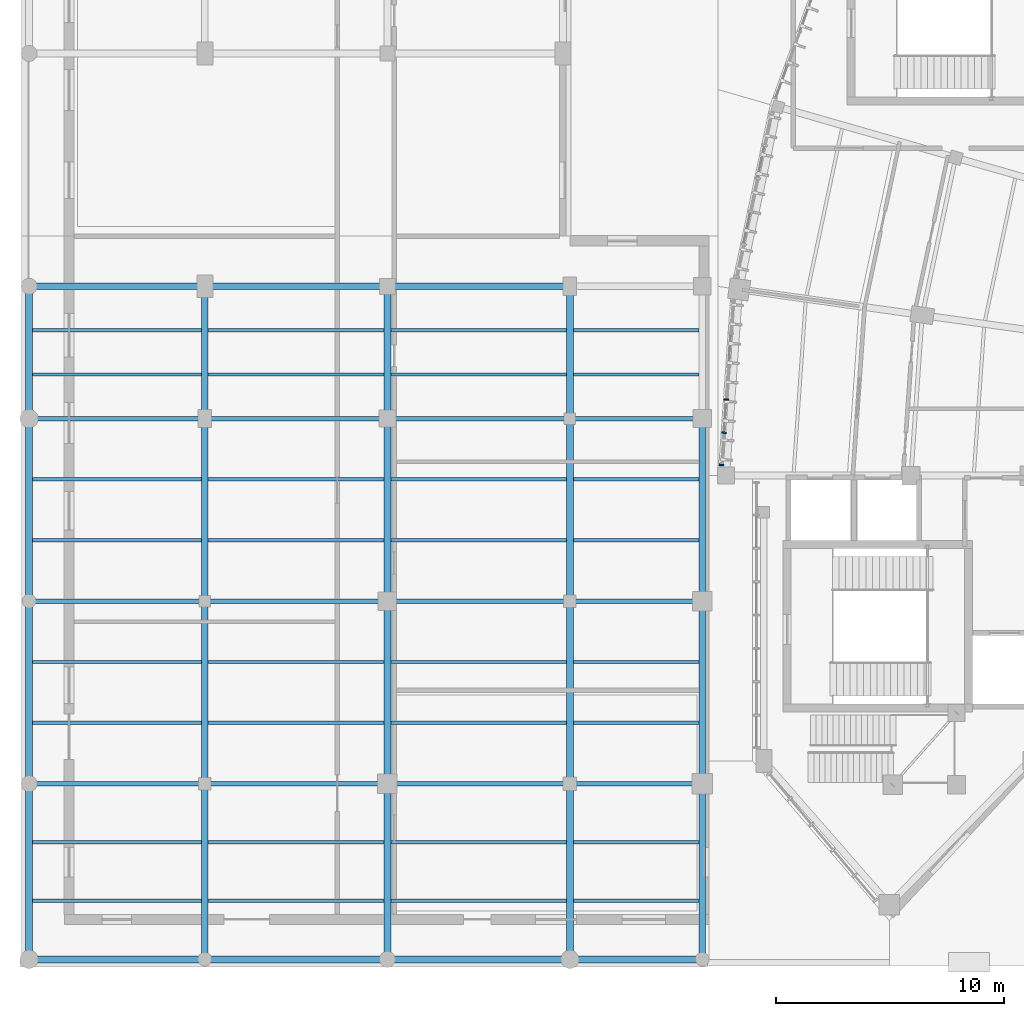
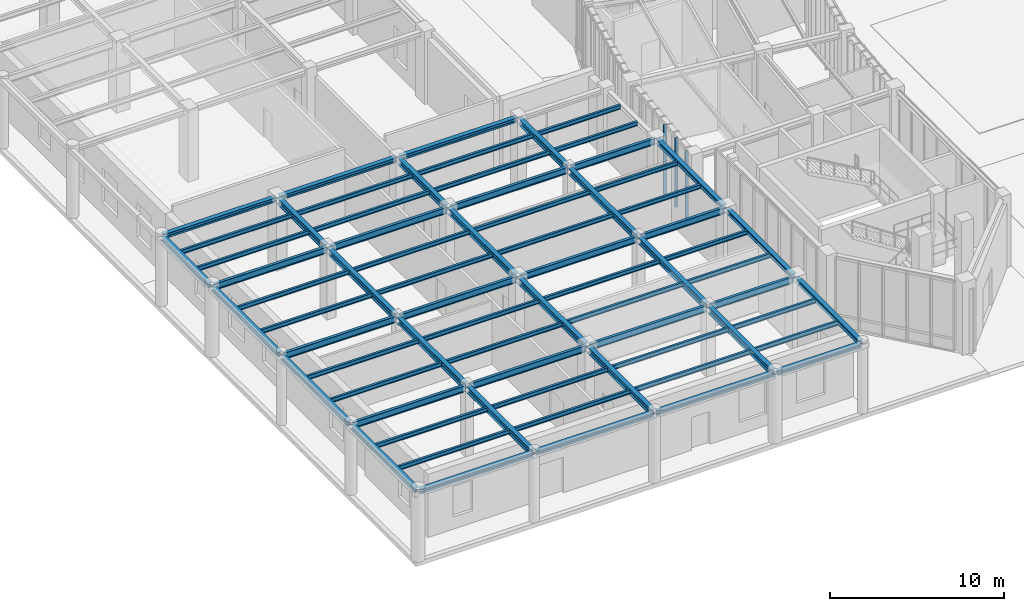
# One storey, part 3 of 68: 70 beams, 3 members, 1 element without a shape of its own.
"""IFC4 building model written with IfcOpenShell, lengths in metres."""

from ifc_helpers import new_model, si_unit, direction, frame, origin, origin_2d, place, context, subcontext, project, spatial, rectangle, i_section, extrude, material, layer, layer_set, material_profile, profile_set, type_object, element, aggregate, save


model = new_model("IFC4")

# Units and contexts
model_context = context("Model", 3, precision=1e-05, world=origin(), true_north=direction((0.0, 1.0)))
body_context = subcontext(model_context, "Body", "Model", "MODEL_VIEW")
ifc_project = project(units=[si_unit("LENGTHUNIT", "METRE"), si_unit("AREAUNIT", "SQUARE_METRE"), si_unit("VOLUMEUNIT", "CUBIC_METRE"), si_unit("PLANEANGLEUNIT", "RADIAN"), si_unit("MASSUNIT", "GRAM", prefix="KILO"), si_unit("THERMODYNAMICTEMPERATUREUNIT", "KELVIN"), si_unit("POWERUNIT", "WATT")], contexts=[model_context])

# Site, building, storey
site_placement = place(None, origin())
site = spatial("IfcSite", under=ifc_project, at=site_placement, CompositionType="ELEMENT")
building_placement = place(site_placement, origin())
building = spatial("IfcBuilding", under=site, at=building_placement, Name="Solvatero Civic Police Headquarters", CompositionType="ELEMENT")
storey_placement = place(building_placement, origin())
storey = spatial("IfcBuildingStorey", under=building, at=storey_placement, Name="L00", CompositionType="ELEMENT", Elevation=0.0)

# Beams
ifc_material_1 = material(Name="Steel S355", Category="steel")
ifc_material_profile_1 = material_profile(ifc_material_1, i_section(OverallWidth=0.300048828125, OverallDepth=0.31005859375, WebThickness=0.009033203125, FlangeThickness=0.015380859375, FilletRadius=0.027099609375, at=origin_2d()), Name="HEA 320")
ifc_profile_set_1 = profile_set([ifc_material_profile_1], Name="Steel S355")
beam_type_1 = type_object("IfcBeamType", Name="BM-ST-HEA320", PredefinedType="SPANDREL", material=ifc_profile_set_1)
beam_1_placement = place(storey_placement, frame((4.89990234375, 4.800048828125, 4.72509765625), z_axis=(1.0, 0.0, 0.0), x_axis=(0.0, 1.0, 0.0)))
element("IfcBeam", 1, at=beam_1_placement, inside=storey, type_object=beam_type_1, Name="Perimeter / radial spandrel beam BM-R2-L00-V4-GX-1-1", PredefinedType="SPANDREL", context=body_context, shape_type="SweptSolid", body=[
    extrude(i_section(OverallWidth=0.300048828125, OverallDepth=0.31005859375, WebThickness=0.009033203125, FlangeThickness=0.015380859375, FilletRadius=0.027099609375, at=origin_2d()), origin(), (0.0, 0.0, 1.0), 7.5),
])
for number, where, z_axis, x_axis, name in (
    (2, (12.60009765625, 4.800048828125, 4.72509765625), (1.0, 0.0, 0.0), (0.0, 1.0, 0.0), "Perimeter / radial spandrel beam BM-R2-L00-V4-GX-2-1"),
    (3, (20.60009765625, 4.800048828125, 4.72509765625), (1.0, 0.0, 0.0), (0.0, 1.0, 0.0), "Perimeter / radial spandrel beam BM-R2-L00-V4-GX-3-1"),
):
    element("IfcBeam", number, at=place(storey_placement, frame(where, z_axis=z_axis, x_axis=x_axis)), inside=storey, type_object=beam_type_1, Name=name, PredefinedType="SPANDREL", context=body_context, shape_type="SweptSolid", body=[
        extrude(i_section(OverallWidth=0.300048828125, OverallDepth=0.31005859375, WebThickness=0.009033203125, FlangeThickness=0.015380859375, FilletRadius=0.027099609375, at=origin_2d()), origin(), (0.0, 0.0, 1.0), 7.7998046875),
    ])
beam_2_placement = place(storey_placement, frame((28.60009765625, 4.800048828125, 4.72509765625), z_axis=(1.0, 0.0, 0.0), x_axis=(0.0, 1.0, 0.0)))
element("IfcBeam", 4, at=beam_2_placement, inside=storey, type_object=beam_type_1, Name="Perimeter / radial spandrel beam BM-R2-L00-V4-GX-4-1", PredefinedType="SPANDREL", context=body_context, shape_type="SweptSolid", body=[
    extrude(i_section(OverallWidth=0.300048828125, OverallDepth=0.31005859375, WebThickness=0.009033203125, FlangeThickness=0.015380859375, FilletRadius=0.027099609375, at=origin_2d()), origin(), (0.0, 0.0, 1.0), 5.599853515625),
])
beam_3_placement = place(storey_placement, frame((4.89990234375, 34.300048828125, 4.72509765625), z_axis=(1.0, 0.0, 0.0), x_axis=(0.0, 1.0, 0.0)))
element("IfcBeam", 5, at=beam_3_placement, inside=storey, type_object=beam_type_1, Name="Perimeter / radial spandrel beam BM-R2-L00-V4-GX-1-5", PredefinedType="SPANDREL", context=body_context, shape_type="SweptSolid", body=[
    extrude(i_section(OverallWidth=0.300048828125, OverallDepth=0.31005859375, WebThickness=0.009033203125, FlangeThickness=0.015380859375, FilletRadius=0.027099609375, at=origin_2d()), origin(), (0.0, 0.0, 1.0), 7.5),
])
for number, where, z_axis, x_axis, name in (
    (6, (12.60009765625, 34.300048828125, 4.72509765625), (1.0, 0.0, 0.0), (0.0, 1.0, 0.0), "Perimeter / radial spandrel beam BM-R2-L00-V4-GX-2-5"),
    (7, (20.60009765625, 34.300048828125, 4.72509765625), (1.0, 0.0, 0.0), (0.0, 1.0, 0.0), "Perimeter / radial spandrel beam BM-R2-L00-V4-GX-3-5"),
):
    element("IfcBeam", number, at=place(storey_placement, frame(where, z_axis=z_axis, x_axis=x_axis)), inside=storey, type_object=beam_type_1, Name=name, PredefinedType="SPANDREL", context=body_context, shape_type="SweptSolid", body=[
        extrude(i_section(OverallWidth=0.300048828125, OverallDepth=0.31005859375, WebThickness=0.009033203125, FlangeThickness=0.015380859375, FilletRadius=0.027099609375, at=origin_2d()), origin(), (0.0, 0.0, 1.0), 7.7998046875),
    ])
beam_4_placement = place(storey_placement, frame((4.800048828125, 4.9599609375, 4.72509765625), z_axis=(0.0, 1.0, 0.0), x_axis=(-1.0, 0.0, 0.0)))
element("IfcBeam", 8, at=beam_4_placement, inside=storey, type_object=beam_type_1, Name="Perimeter / radial spandrel beam BM-R2-L00-V4-GY-1-1", PredefinedType="SPANDREL", context=body_context, shape_type="SweptSolid", body=[
    extrude(i_section(OverallWidth=0.300048828125, OverallDepth=0.31005859375, WebThickness=0.009033203125, FlangeThickness=0.015380859375, FilletRadius=0.027099609375, at=origin_2d()), origin(), (0.0, 0.0, 1.0), 7.380126953125),
])
for number, where, z_axis, x_axis, name in (
    (9, (4.800048828125, 12.659912109375, 4.72509765625), (0.0, 1.0, 0.0), (-1.0, 0.0, 0.0), "Perimeter / radial spandrel beam BM-R2-L00-V4-GY-1-2"),
    (10, (4.800048828125, 20.659912109375, 4.72509765625), (0.0, 1.0, 0.0), (-1.0, 0.0, 0.0), "Perimeter / radial spandrel beam BM-R2-L00-V4-GY-1-3"),
):
    element("IfcBeam", number, at=place(storey_placement, frame(where, z_axis=z_axis, x_axis=x_axis)), inside=storey, type_object=beam_type_1, Name=name, PredefinedType="SPANDREL", context=body_context, shape_type="SweptSolid", body=[
        extrude(i_section(OverallWidth=0.300048828125, OverallDepth=0.31005859375, WebThickness=0.009033203125, FlangeThickness=0.015380859375, FilletRadius=0.027099609375, at=origin_2d()), origin(), (0.0, 0.0, 1.0), 7.68017578125),
    ])
beam_5_placement = place(storey_placement, frame((4.800048828125, 28.659912109375, 4.72509765625), z_axis=(0.0, 1.0, 0.0), x_axis=(-1.0, 0.0, 0.0)))
element("IfcBeam", 11, at=beam_5_placement, inside=storey, type_object=beam_type_1, Name="Perimeter / radial spandrel beam BM-R2-L00-V4-GY-1-4", PredefinedType="SPANDREL", context=body_context, shape_type="SweptSolid", body=[
    extrude(i_section(OverallWidth=0.300048828125, OverallDepth=0.31005859375, WebThickness=0.009033203125, FlangeThickness=0.015380859375, FilletRadius=0.027099609375, at=origin_2d()), origin(), (0.0, 0.0, 1.0), 5.47998046875),
])
beam_6_placement = place(storey_placement, frame((34.300048828125, 4.9599609375, 4.72509765625), z_axis=(0.0, 1.0, 0.0), x_axis=(-1.0, 0.0, 0.0)))
element("IfcBeam", 12, at=beam_6_placement, inside=storey, type_object=beam_type_1, Name="Perimeter / radial spandrel beam BM-R2-L00-V4-GY-5-1", PredefinedType="SPANDREL", context=body_context, shape_type="SweptSolid", body=[
    extrude(i_section(OverallWidth=0.300048828125, OverallDepth=0.31005859375, WebThickness=0.009033203125, FlangeThickness=0.015380859375, FilletRadius=0.027099609375, at=origin_2d()), origin(), (0.0, 0.0, 1.0), 7.380126953125),
])
for number, where, z_axis, x_axis, name in (
    (13, (34.300048828125, 12.659912109375, 4.72509765625), (0.0, 1.0, 0.0), (-1.0, 0.0, 0.0), "Perimeter / radial spandrel beam BM-R2-L00-V4-GY-5-2"),
    (14, (34.300048828125, 20.659912109375, 4.72509765625), (0.0, 1.0, 0.0), (-1.0, 0.0, 0.0), "Perimeter / radial spandrel beam BM-R2-L00-V4-GY-5-3"),
):
    element("IfcBeam", number, at=place(storey_placement, frame(where, z_axis=z_axis, x_axis=x_axis)), inside=storey, type_object=beam_type_1, Name=name, PredefinedType="SPANDREL", context=body_context, shape_type="SweptSolid", body=[
        extrude(i_section(OverallWidth=0.300048828125, OverallDepth=0.31005859375, WebThickness=0.009033203125, FlangeThickness=0.015380859375, FilletRadius=0.027099609375, at=origin_2d()), origin(), (0.0, 0.0, 1.0), 7.68017578125),
    ])
ifc_material_profile_2 = material_profile(ifc_material_1, i_section(OverallWidth=0.300048828125, OverallDepth=0.43994140625, WebThickness=0.011474609375, FlangeThickness=0.02099609375, FilletRadius=0.027099609375, at=origin_2d()), Name="HEA 450")
ifc_profile_set_2 = profile_set([ifc_material_profile_2], Name="Steel S355")
beam_type_2 = type_object("IfcBeamType", Name="BM-ST-HEA450", PredefinedType="BEAM", material=ifc_profile_set_2)
beam_7_placement = place(storey_placement, frame((12.5, 4.9599609375, 4.659912109375), z_axis=(0.0, 1.0, 0.0), x_axis=(-1.0, 0.0, 0.0)))
element("IfcBeam", 15, at=beam_7_placement, inside=storey, type_object=beam_type_2, Name="Primary girder BM-R2-L00-V4-GY-2-1", PredefinedType="BEAM", context=body_context, shape_type="SweptSolid", body=[
    extrude(i_section(OverallWidth=0.300048828125, OverallDepth=0.43994140625, WebThickness=0.011474609375, FlangeThickness=0.02099609375, FilletRadius=0.027099609375, at=origin_2d()), origin(), (0.0, 0.0, 1.0), 7.380126953125),
])
for number, where, z_axis, x_axis, name in (
    (16, (12.5, 12.659912109375, 4.659912109375), (0.0, 1.0, 0.0), (-1.0, 0.0, 0.0), "Primary girder BM-R2-L00-V4-GY-2-2"),
    (17, (12.5, 20.659912109375, 4.659912109375), (0.0, 1.0, 0.0), (-1.0, 0.0, 0.0), "Primary girder BM-R2-L00-V4-GY-2-3"),
):
    element("IfcBeam", number, at=place(storey_placement, frame(where, z_axis=z_axis, x_axis=x_axis)), inside=storey, type_object=beam_type_2, Name=name, PredefinedType="BEAM", context=body_context, shape_type="SweptSolid", body=[
        extrude(i_section(OverallWidth=0.300048828125, OverallDepth=0.43994140625, WebThickness=0.011474609375, FlangeThickness=0.02099609375, FilletRadius=0.027099609375, at=origin_2d()), origin(), (0.0, 0.0, 1.0), 7.68017578125),
    ])
beam_8_placement = place(storey_placement, frame((12.5, 28.659912109375, 4.659912109375), z_axis=(0.0, 1.0, 0.0), x_axis=(-1.0, 0.0, 0.0)))
element("IfcBeam", 18, at=beam_8_placement, inside=storey, type_object=beam_type_2, Name="Primary girder BM-R2-L00-V4-GY-2-4", PredefinedType="BEAM", context=body_context, shape_type="SweptSolid", body=[
    extrude(i_section(OverallWidth=0.300048828125, OverallDepth=0.43994140625, WebThickness=0.011474609375, FlangeThickness=0.02099609375, FilletRadius=0.027099609375, at=origin_2d()), origin(), (0.0, 0.0, 1.0), 5.47998046875),
])
beam_9_placement = place(storey_placement, frame((20.5, 4.9599609375, 4.659912109375), z_axis=(0.0, 1.0, 0.0), x_axis=(-1.0, 0.0, 0.0)))
element("IfcBeam", 19, at=beam_9_placement, inside=storey, type_object=beam_type_2, Name="Primary girder BM-R2-L00-V4-GY-3-1", PredefinedType="BEAM", context=body_context, shape_type="SweptSolid", body=[
    extrude(i_section(OverallWidth=0.300048828125, OverallDepth=0.43994140625, WebThickness=0.011474609375, FlangeThickness=0.02099609375, FilletRadius=0.027099609375, at=origin_2d()), origin(), (0.0, 0.0, 1.0), 7.380126953125),
])
for number, where, z_axis, x_axis, name in (
    (20, (20.5, 12.659912109375, 4.659912109375), (0.0, 1.0, 0.0), (-1.0, 0.0, 0.0), "Primary girder BM-R2-L00-V4-GY-3-2"),
    (21, (20.5, 20.659912109375, 4.659912109375), (0.0, 1.0, 0.0), (-1.0, 0.0, 0.0), "Primary girder BM-R2-L00-V4-GY-3-3"),
):
    element("IfcBeam", number, at=place(storey_placement, frame(where, z_axis=z_axis, x_axis=x_axis)), inside=storey, type_object=beam_type_2, Name=name, PredefinedType="BEAM", context=body_context, shape_type="SweptSolid", body=[
        extrude(i_section(OverallWidth=0.300048828125, OverallDepth=0.43994140625, WebThickness=0.011474609375, FlangeThickness=0.02099609375, FilletRadius=0.027099609375, at=origin_2d()), origin(), (0.0, 0.0, 1.0), 7.68017578125),
    ])
beam_10_placement = place(storey_placement, frame((20.5, 28.659912109375, 4.659912109375), z_axis=(0.0, 1.0, 0.0), x_axis=(-1.0, 0.0, 0.0)))
element("IfcBeam", 22, at=beam_10_placement, inside=storey, type_object=beam_type_2, Name="Primary girder BM-R2-L00-V4-GY-3-4", PredefinedType="BEAM", context=body_context, shape_type="SweptSolid", body=[
    extrude(i_section(OverallWidth=0.300048828125, OverallDepth=0.43994140625, WebThickness=0.011474609375, FlangeThickness=0.02099609375, FilletRadius=0.027099609375, at=origin_2d()), origin(), (0.0, 0.0, 1.0), 5.47998046875),
])
beam_11_placement = place(storey_placement, frame((28.5, 4.9599609375, 4.659912109375), z_axis=(0.0, 1.0, 0.0), x_axis=(-1.0, 0.0, 0.0)))
element("IfcBeam", 23, at=beam_11_placement, inside=storey, type_object=beam_type_2, Name="Primary girder BM-R2-L00-V4-GY-4-1", PredefinedType="BEAM", context=body_context, shape_type="SweptSolid", body=[
    extrude(i_section(OverallWidth=0.300048828125, OverallDepth=0.43994140625, WebThickness=0.011474609375, FlangeThickness=0.02099609375, FilletRadius=0.027099609375, at=origin_2d()), origin(), (0.0, 0.0, 1.0), 7.380126953125),
])
for number, where, z_axis, x_axis, name in (
    (24, (28.5, 12.659912109375, 4.659912109375), (0.0, 1.0, 0.0), (-1.0, 0.0, 0.0), "Primary girder BM-R2-L00-V4-GY-4-2"),
    (25, (28.5, 20.659912109375, 4.659912109375), (0.0, 1.0, 0.0), (-1.0, 0.0, 0.0), "Primary girder BM-R2-L00-V4-GY-4-3"),
):
    element("IfcBeam", number, at=place(storey_placement, frame(where, z_axis=z_axis, x_axis=x_axis)), inside=storey, type_object=beam_type_2, Name=name, PredefinedType="BEAM", context=body_context, shape_type="SweptSolid", body=[
        extrude(i_section(OverallWidth=0.300048828125, OverallDepth=0.43994140625, WebThickness=0.011474609375, FlangeThickness=0.02099609375, FilletRadius=0.027099609375, at=origin_2d()), origin(), (0.0, 0.0, 1.0), 7.68017578125),
    ])
beam_12_placement = place(storey_placement, frame((28.5, 28.659912109375, 4.659912109375), z_axis=(0.0, 1.0, 0.0), x_axis=(-1.0, 0.0, 0.0)))
element("IfcBeam", 26, at=beam_12_placement, inside=storey, type_object=beam_type_2, Name="Primary girder BM-R2-L00-V4-GY-4-4", PredefinedType="BEAM", context=body_context, shape_type="SweptSolid", body=[
    extrude(i_section(OverallWidth=0.300048828125, OverallDepth=0.43994140625, WebThickness=0.011474609375, FlangeThickness=0.02099609375, FilletRadius=0.027099609375, at=origin_2d()), origin(), (0.0, 0.0, 1.0), 5.47998046875),
])
ifc_material_profile_3 = material_profile(ifc_material_1, i_section(OverallWidth=0.14990234375, OverallDepth=0.300048828125, WebThickness=0.007080078125, FlangeThickness=0.0107421875, FilletRadius=0.014892578125, at=origin_2d()), Name="IPE 300")
ifc_profile_set_3 = profile_set([ifc_material_profile_3], Name="Steel S355")
beam_type_3 = type_object("IfcBeamType", Name="BM-ST-IPE300", PredefinedType="BEAM", material=ifc_profile_set_3)
for number, where, z_axis, x_axis, name in (
    (27, (4.949951171875, 7.36669921875, 4.72998046875), (1.0, 0.0, 0.0), (0.0, 1.0, 0.0), "Composite floor beam BM-R2-L00-V4-SEC-1-1-S1"),
    (28, (4.949951171875, 9.933349609375, 4.72998046875), (1.0, 0.0, 0.0), (0.0, 1.0, 0.0), "Composite floor beam BM-R2-L00-V4-SEC-1-1-S2"),
    (29, (4.949951171875, 15.166748046875, 4.72998046875), (1.0, 0.0, 0.0), (0.0, 1.0, 0.0), "Composite floor beam BM-R2-L00-V4-SEC-1-2-S1"),
    (30, (4.949951171875, 17.833251953125, 4.72998046875), (1.0, 0.0, 0.0), (0.0, 1.0, 0.0), "Composite floor beam BM-R2-L00-V4-SEC-1-2-S2"),
    (31, (4.949951171875, 23.166748046875, 4.72998046875), (1.0, 0.0, 0.0), (0.0, 1.0, 0.0), "Composite floor beam BM-R2-L00-V4-SEC-1-3-S1"),
    (32, (4.949951171875, 25.833251953125, 4.72998046875), (1.0, 0.0, 0.0), (0.0, 1.0, 0.0), "Composite floor beam BM-R2-L00-V4-SEC-1-3-S2"),
    (33, (4.949951171875, 30.433349609375, 4.72998046875), (1.0, 0.0, 0.0), (0.0, 1.0, 0.0), "Composite floor beam BM-R2-L00-V4-SEC-1-4-S1"),
    (34, (4.949951171875, 32.36669921875, 4.72998046875), (1.0, 0.0, 0.0), (0.0, 1.0, 0.0), "Composite floor beam BM-R2-L00-V4-SEC-1-4-S2"),
):
    element("IfcBeam", number, at=place(storey_placement, frame(where, z_axis=z_axis, x_axis=x_axis)), inside=storey, type_object=beam_type_3, Name=name, PredefinedType="BEAM", context=body_context, shape_type="SweptSolid", body=[
        extrude(i_section(OverallWidth=0.14990234375, OverallDepth=0.300048828125, WebThickness=0.007080078125, FlangeThickness=0.0107421875, FilletRadius=0.014892578125, at=origin_2d()), origin(), (0.0, 0.0, 1.0), 7.400146484375),
    ])
for number, where, z_axis, x_axis, name in (
    (35, (12.64990234375, 7.36669921875, 4.72998046875), (1.0, 0.0, 0.0), (0.0, 1.0, 0.0), "Composite floor beam BM-R2-L00-V4-SEC-2-1-S1"),
    (36, (12.64990234375, 9.933349609375, 4.72998046875), (1.0, 0.0, 0.0), (0.0, 1.0, 0.0), "Composite floor beam BM-R2-L00-V4-SEC-2-1-S2"),
    (37, (12.64990234375, 15.166748046875, 4.72998046875), (1.0, 0.0, 0.0), (0.0, 1.0, 0.0), "Composite floor beam BM-R2-L00-V4-SEC-2-2-S1"),
    (38, (12.64990234375, 17.833251953125, 4.72998046875), (1.0, 0.0, 0.0), (0.0, 1.0, 0.0), "Composite floor beam BM-R2-L00-V4-SEC-2-2-S2"),
    (39, (12.64990234375, 23.166748046875, 4.72998046875), (1.0, 0.0, 0.0), (0.0, 1.0, 0.0), "Composite floor beam BM-R2-L00-V4-SEC-2-3-S1"),
    (40, (12.64990234375, 25.833251953125, 4.72998046875), (1.0, 0.0, 0.0), (0.0, 1.0, 0.0), "Composite floor beam BM-R2-L00-V4-SEC-2-3-S2"),
    (41, (12.64990234375, 30.433349609375, 4.72998046875), (1.0, 0.0, 0.0), (0.0, 1.0, 0.0), "Composite floor beam BM-R2-L00-V4-SEC-2-4-S1"),
    (42, (12.64990234375, 32.36669921875, 4.72998046875), (1.0, 0.0, 0.0), (0.0, 1.0, 0.0), "Composite floor beam BM-R2-L00-V4-SEC-2-4-S2"),
    (43, (20.64990234375, 7.36669921875, 4.72998046875), (1.0, 0.0, 0.0), (0.0, 1.0, 0.0), "Composite floor beam BM-R2-L00-V4-SEC-3-1-S1"),
    (44, (20.64990234375, 9.933349609375, 4.72998046875), (1.0, 0.0, 0.0), (0.0, 1.0, 0.0), "Composite floor beam BM-R2-L00-V4-SEC-3-1-S2"),
    (45, (20.64990234375, 15.166748046875, 4.72998046875), (1.0, 0.0, 0.0), (0.0, 1.0, 0.0), "Composite floor beam BM-R2-L00-V4-SEC-3-2-S1"),
    (46, (20.64990234375, 17.833251953125, 4.72998046875), (1.0, 0.0, 0.0), (0.0, 1.0, 0.0), "Composite floor beam BM-R2-L00-V4-SEC-3-2-S2"),
    (47, (20.64990234375, 23.166748046875, 4.72998046875), (1.0, 0.0, 0.0), (0.0, 1.0, 0.0), "Composite floor beam BM-R2-L00-V4-SEC-3-3-S1"),
    (48, (20.64990234375, 25.833251953125, 4.72998046875), (1.0, 0.0, 0.0), (0.0, 1.0, 0.0), "Composite floor beam BM-R2-L00-V4-SEC-3-3-S2"),
    (49, (20.64990234375, 30.433349609375, 4.72998046875), (1.0, 0.0, 0.0), (0.0, 1.0, 0.0), "Composite floor beam BM-R2-L00-V4-SEC-3-4-S1"),
    (50, (20.64990234375, 32.36669921875, 4.72998046875), (1.0, 0.0, 0.0), (0.0, 1.0, 0.0), "Composite floor beam BM-R2-L00-V4-SEC-3-4-S2"),
):
    element("IfcBeam", number, at=place(storey_placement, frame(where, z_axis=z_axis, x_axis=x_axis)), inside=storey, type_object=beam_type_3, Name=name, PredefinedType="BEAM", context=body_context, shape_type="SweptSolid", body=[
        extrude(i_section(OverallWidth=0.14990234375, OverallDepth=0.300048828125, WebThickness=0.007080078125, FlangeThickness=0.0107421875, FilletRadius=0.014892578125, at=origin_2d()), origin(), (0.0, 0.0, 1.0), 7.7001953125),
    ])
for number, where, z_axis, x_axis, name in (
    (51, (28.64990234375, 7.36669921875, 4.72998046875), (1.0, 0.0, 0.0), (0.0, 1.0, 0.0), "Composite floor beam BM-R2-L00-V4-SEC-4-1-S1"),
    (52, (28.64990234375, 9.933349609375, 4.72998046875), (1.0, 0.0, 0.0), (0.0, 1.0, 0.0), "Composite floor beam BM-R2-L00-V4-SEC-4-1-S2"),
    (53, (28.64990234375, 15.166748046875, 4.72998046875), (1.0, 0.0, 0.0), (0.0, 1.0, 0.0), "Composite floor beam BM-R2-L00-V4-SEC-4-2-S1"),
    (54, (28.64990234375, 17.833251953125, 4.72998046875), (1.0, 0.0, 0.0), (0.0, 1.0, 0.0), "Composite floor beam BM-R2-L00-V4-SEC-4-2-S2"),
    (55, (28.64990234375, 23.166748046875, 4.72998046875), (1.0, 0.0, 0.0), (0.0, 1.0, 0.0), "Composite floor beam BM-R2-L00-V4-SEC-4-3-S1"),
    (56, (28.64990234375, 25.833251953125, 4.72998046875), (1.0, 0.0, 0.0), (0.0, 1.0, 0.0), "Composite floor beam BM-R2-L00-V4-SEC-4-3-S2"),
    (57, (28.64990234375, 30.433349609375, 4.72998046875), (1.0, 0.0, 0.0), (0.0, 1.0, 0.0), "Composite floor beam BM-R2-L00-V4-SEC-4-4-S1"),
    (58, (28.64990234375, 32.36669921875, 4.72998046875), (1.0, 0.0, 0.0), (0.0, 1.0, 0.0), "Composite floor beam BM-R2-L00-V4-SEC-4-4-S2"),
):
    element("IfcBeam", number, at=place(storey_placement, frame(where, z_axis=z_axis, x_axis=x_axis)), inside=storey, type_object=beam_type_3, Name=name, PredefinedType="BEAM", context=body_context, shape_type="SweptSolid", body=[
        extrude(i_section(OverallWidth=0.14990234375, OverallDepth=0.300048828125, WebThickness=0.007080078125, FlangeThickness=0.0107421875, FilletRadius=0.014892578125, at=origin_2d()), origin(), (0.0, 0.0, 1.0), 5.5),
    ])
ifc_material_profile_4 = material_profile(ifc_material_1, i_section(OverallWidth=0.18994140625, OverallDepth=0.449951171875, WebThickness=0.009521484375, FlangeThickness=0.0146484375, FilletRadius=0.02099609375, at=origin_2d()), Name="IPE 450")
ifc_profile_set_4 = profile_set([ifc_material_profile_4], Name="Steel S355")
beam_type_4 = type_object("IfcBeamType", Name="BM-ST-IPE450", PredefinedType="BEAM", material=ifc_profile_set_4)
beam_13_placement = place(storey_placement, frame((4.89990234375, 12.5, 4.655029296875), z_axis=(1.0, 0.0, 0.0), x_axis=(0.0, 1.0, 0.0)))
element("IfcBeam", 59, at=beam_13_placement, inside=storey, type_object=beam_type_4, Name="Primary girder BM-R2-L00-V4-GX-1-2", PredefinedType="BEAM", context=body_context, shape_type="SweptSolid", body=[
    extrude(i_section(OverallWidth=0.18994140625, OverallDepth=0.449951171875, WebThickness=0.009521484375, FlangeThickness=0.0146484375, FilletRadius=0.02099609375, at=origin_2d()), origin(), (0.0, 0.0, 1.0), 7.5),
])
for number, where, z_axis, x_axis, name in (
    (60, (12.60009765625, 12.5, 4.655029296875), (1.0, 0.0, 0.0), (0.0, 1.0, 0.0), "Primary girder BM-R2-L00-V4-GX-2-2"),
    (61, (20.60009765625, 12.5, 4.655029296875), (1.0, 0.0, 0.0), (0.0, 1.0, 0.0), "Primary girder BM-R2-L00-V4-GX-3-2"),
):
    element("IfcBeam", number, at=place(storey_placement, frame(where, z_axis=z_axis, x_axis=x_axis)), inside=storey, type_object=beam_type_4, Name=name, PredefinedType="BEAM", context=body_context, shape_type="SweptSolid", body=[
        extrude(i_section(OverallWidth=0.18994140625, OverallDepth=0.449951171875, WebThickness=0.009521484375, FlangeThickness=0.0146484375, FilletRadius=0.02099609375, at=origin_2d()), origin(), (0.0, 0.0, 1.0), 7.7998046875),
    ])
beam_14_placement = place(storey_placement, frame((28.60009765625, 12.5, 4.655029296875), z_axis=(1.0, 0.0, 0.0), x_axis=(0.0, 1.0, 0.0)))
element("IfcBeam", 62, at=beam_14_placement, inside=storey, type_object=beam_type_4, Name="Primary girder BM-R2-L00-V4-GX-4-2", PredefinedType="BEAM", context=body_context, shape_type="SweptSolid", body=[
    extrude(i_section(OverallWidth=0.18994140625, OverallDepth=0.449951171875, WebThickness=0.009521484375, FlangeThickness=0.0146484375, FilletRadius=0.02099609375, at=origin_2d()), origin(), (0.0, 0.0, 1.0), 5.599853515625),
])
beam_15_placement = place(storey_placement, frame((4.89990234375, 20.5, 4.655029296875), z_axis=(1.0, 0.0, 0.0), x_axis=(0.0, 1.0, 0.0)))
element("IfcBeam", 63, at=beam_15_placement, inside=storey, type_object=beam_type_4, Name="Primary girder BM-R2-L00-V4-GX-1-3", PredefinedType="BEAM", context=body_context, shape_type="SweptSolid", body=[
    extrude(i_section(OverallWidth=0.18994140625, OverallDepth=0.449951171875, WebThickness=0.009521484375, FlangeThickness=0.0146484375, FilletRadius=0.02099609375, at=origin_2d()), origin(), (0.0, 0.0, 1.0), 7.5),
])
for number, where, z_axis, x_axis, name in (
    (64, (12.60009765625, 20.5, 4.655029296875), (1.0, 0.0, 0.0), (0.0, 1.0, 0.0), "Primary girder BM-R2-L00-V4-GX-2-3"),
    (65, (20.60009765625, 20.5, 4.655029296875), (1.0, 0.0, 0.0), (0.0, 1.0, 0.0), "Primary girder BM-R2-L00-V4-GX-3-3"),
):
    element("IfcBeam", number, at=place(storey_placement, frame(where, z_axis=z_axis, x_axis=x_axis)), inside=storey, type_object=beam_type_4, Name=name, PredefinedType="BEAM", context=body_context, shape_type="SweptSolid", body=[
        extrude(i_section(OverallWidth=0.18994140625, OverallDepth=0.449951171875, WebThickness=0.009521484375, FlangeThickness=0.0146484375, FilletRadius=0.02099609375, at=origin_2d()), origin(), (0.0, 0.0, 1.0), 7.7998046875),
    ])
beam_16_placement = place(storey_placement, frame((28.60009765625, 20.5, 4.655029296875), z_axis=(1.0, 0.0, 0.0), x_axis=(0.0, 1.0, 0.0)))
element("IfcBeam", 66, at=beam_16_placement, inside=storey, type_object=beam_type_4, Name="Primary girder BM-R2-L00-V4-GX-4-3", PredefinedType="BEAM", context=body_context, shape_type="SweptSolid", body=[
    extrude(i_section(OverallWidth=0.18994140625, OverallDepth=0.449951171875, WebThickness=0.009521484375, FlangeThickness=0.0146484375, FilletRadius=0.02099609375, at=origin_2d()), origin(), (0.0, 0.0, 1.0), 5.599853515625),
])
beam_17_placement = place(storey_placement, frame((4.89990234375, 28.5, 4.655029296875), z_axis=(1.0, 0.0, 0.0), x_axis=(0.0, 1.0, 0.0)))
element("IfcBeam", 67, at=beam_17_placement, inside=storey, type_object=beam_type_4, Name="Primary girder BM-R2-L00-V4-GX-1-4", PredefinedType="BEAM", context=body_context, shape_type="SweptSolid", body=[
    extrude(i_section(OverallWidth=0.18994140625, OverallDepth=0.449951171875, WebThickness=0.009521484375, FlangeThickness=0.0146484375, FilletRadius=0.02099609375, at=origin_2d()), origin(), (0.0, 0.0, 1.0), 7.5),
])
for number, where, z_axis, x_axis, name in (
    (68, (12.60009765625, 28.5, 4.655029296875), (1.0, 0.0, 0.0), (0.0, 1.0, 0.0), "Primary girder BM-R2-L00-V4-GX-2-4"),
    (69, (20.60009765625, 28.5, 4.655029296875), (1.0, 0.0, 0.0), (0.0, 1.0, 0.0), "Primary girder BM-R2-L00-V4-GX-3-4"),
):
    element("IfcBeam", number, at=place(storey_placement, frame(where, z_axis=z_axis, x_axis=x_axis)), inside=storey, type_object=beam_type_4, Name=name, PredefinedType="BEAM", context=body_context, shape_type="SweptSolid", body=[
        extrude(i_section(OverallWidth=0.18994140625, OverallDepth=0.449951171875, WebThickness=0.009521484375, FlangeThickness=0.0146484375, FilletRadius=0.02099609375, at=origin_2d()), origin(), (0.0, 0.0, 1.0), 7.7998046875),
    ])
beam_18_placement = place(storey_placement, frame((28.60009765625, 28.5, 4.655029296875), z_axis=(1.0, 0.0, 0.0), x_axis=(0.0, 1.0, 0.0)))
element("IfcBeam", 70, at=beam_18_placement, inside=storey, type_object=beam_type_4, Name="Primary girder BM-R2-L00-V4-GX-4-4", PredefinedType="BEAM", context=body_context, shape_type="SweptSolid", body=[
    extrude(i_section(OverallWidth=0.18994140625, OverallDepth=0.449951171875, WebThickness=0.009521484375, FlangeThickness=0.0146484375, FilletRadius=0.02099609375, at=origin_2d()), origin(), (0.0, 0.0, 1.0), 5.599853515625),
])

# Curtain wall, members
ifc_material_2 = material(Name="Anodized Bronze Aluminium", Category="aluminium")
ifc_layer = layer(ifc_material_2, 0.179931640625)
ifc_layer_set = layer_set([ifc_layer], Name="Anodized Bronze Aluminium")
curtain_wall_type = type_object("IfcCurtainWallType", Name="CW-ARC-OUT", PredefinedType="USERDEFINED", material=ifc_layer_set)
curtain_wall_placement = place(storey_placement, origin())
curtain_wall = element("IfcCurtainWall", 71, at=curtain_wall_placement, inside=storey, type_object=curtain_wall_type, Name="Curtain Wall CW-R2-L00-ARC-OUT-B12", ObjectType="UNITISED", PredefinedType="USERDEFINED")
ifc_material_profile_5 = material_profile(ifc_material_2, rectangle(XDim=0.070068359375, YDim=0.199951171875, at=origin_2d()), Name="ALU MULLION 70x200")
ifc_profile_set_5 = profile_set([ifc_material_profile_5], Name="Anodized Bronze Aluminium")
member_type = type_object("IfcMemberType", Name="CWM-220x80", PredefinedType="MULLION", material=ifc_profile_set_5)
member_1_placement = place(storey_placement, frame((35.35302734375, 29.333984375, 0.0), z_axis=(0.0, 0.0, 1.0), x_axis=(-0.069756473744, -0.99756405026, 0.0)))
member_1 = element("IfcMember", 72, at=member_1_placement, type_object=member_type, Name="CW-R2-L00-ARC-OUT-B12 Mullion 4", PredefinedType="MULLION", context=body_context, shape_type="SweptSolid", body=[
    extrude(rectangle(XDim=0.070068359375, YDim=0.199951171875, at=origin_2d()), origin(), (0.0, 0.0, 1.0), 4.8798828125),
])
member_2_placement = place(storey_placement, frame((35.251708984375, 27.8818359375, 0.0), z_axis=(0.0, 0.0, 1.0), x_axis=(-0.069756473744, -0.99756405026, 0.0)))
member_2 = element("IfcMember", 73, at=member_2_placement, type_object=member_type, Name="CW-R2-L00-ARC-OUT-B12 Mullion 5", PredefinedType="MULLION", context=body_context, shape_type="SweptSolid", body=[
    extrude(rectangle(XDim=0.070068359375, YDim=0.199951171875, at=origin_2d()), origin(), (0.0, 0.0, 1.0), 4.8798828125),
])
member_3_placement = place(storey_placement, frame((35.15283203125, 26.469970703125, 0.0), z_axis=(0.0, 0.0, 1.0), x_axis=(-0.069756473744, -0.99756405026, 0.0)))
member_3 = element("IfcMember", 74, at=member_3_placement, type_object=member_type, Name="CW-R2-L00-ARC-OUT-B12 Mullion 6", PredefinedType="MULLION", context=body_context, shape_type="SweptSolid", body=[
    extrude(rectangle(XDim=0.070068359375, YDim=0.199951171875, at=origin_2d()), origin(), (0.0, 0.0, 1.0), 4.8798828125),
])
aggregate(curtain_wall, [member_1, member_2, member_3])

save(model, "model.ifc")
